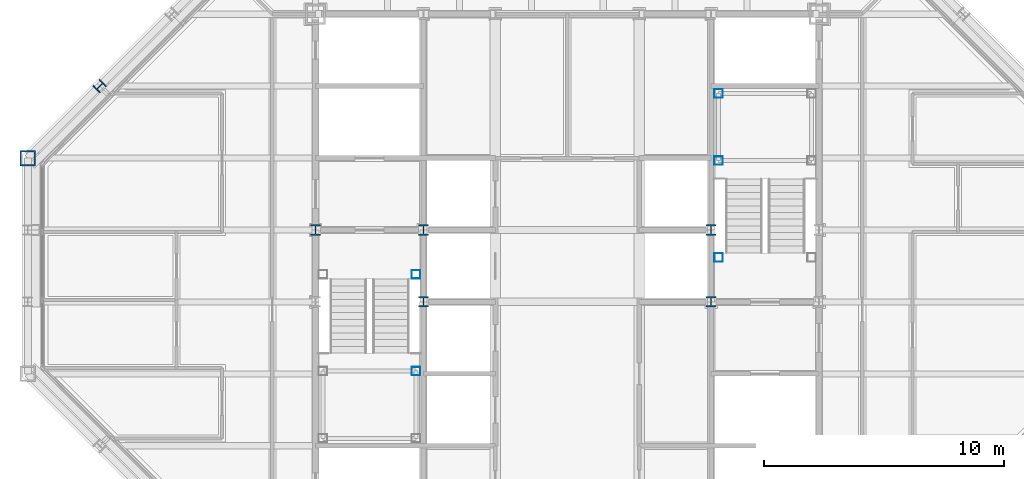
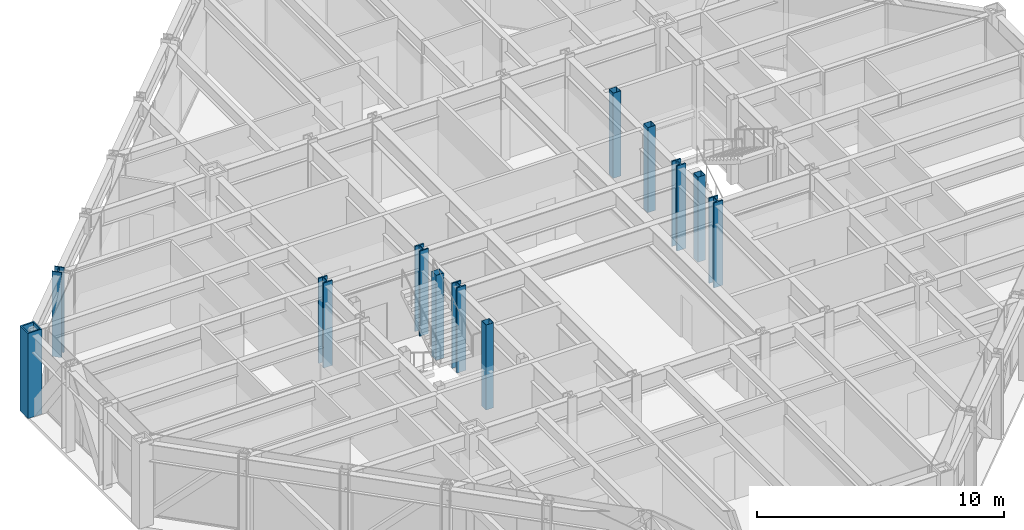
# One storey, part 2 of 15: 12 columns.
"""IFC4 building model written with IfcOpenShell, lengths in metres."""

from ifc_helpers import new_model, si_unit, direction, frame, origin, origin_2d, place, context, subcontext, project, spatial, hollow_rectangle, i_section, extrude, material, material_profile, profile_set, type_object, element, save


model = new_model("IFC4")

# Units and contexts
model_context = context("Model", 3, precision=1e-05, world=origin(), true_north=direction((0.0, 1.0)))
body_context = subcontext(model_context, "Body", "Model", "MODEL_VIEW")
ifc_project = project(units=[si_unit("LENGTHUNIT", "METRE"), si_unit("AREAUNIT", "SQUARE_METRE"), si_unit("VOLUMEUNIT", "CUBIC_METRE"), si_unit("PLANEANGLEUNIT", "RADIAN"), si_unit("MASSUNIT", "GRAM", prefix="KILO")], contexts=[model_context])

# Site, building, storey
site_placement = place(None, origin())
site = spatial("IfcSite", under=ifc_project, at=site_placement, CompositionType="ELEMENT")
building_placement = place(site_placement, origin())
building = spatial("IfcBuilding", under=site, at=building_placement, Name="Chuquiago Exchange Tower", CompositionType="ELEMENT")
storey_placement = place(building_placement, frame((0.0, 0.0, 287.39990234375)))
storey = spatial("IfcBuildingStorey", under=building, at=storey_placement, Name="L64", CompositionType="ELEMENT", Elevation=287.39990234375)

# Columns
ifc_material_1 = material(Name="Steel ASTM A992", Category="steel")
ifc_material_profile_1 = material_profile(ifc_material_1, i_section(OverallWidth=0.41650390625, OverallDepth=0.444580078125, WebThickness=0.0390625, FlangeThickness=0.062744140625, at=origin_2d()), Name="W14X342")
ifc_profile_set_1 = profile_set([ifc_material_profile_1], Name="Steel ASTM A992")
column_type_1 = type_object("IfcColumnType", Name="CC9 W14X342", PredefinedType="COLUMN", material=ifc_profile_set_1)
for number, where, z_axis, x_axis, name in (
    (1, (12.0, 24.0, 0.0), (0.0, 0.0, 1.0), (1.0, 0.0, 0.0), "CCOL-L64-12_24"),
    (2, (16.5, 21.0, 0.0), (0.0, 0.0, 1.0), (1.0, 0.0, 0.0), "CCOL-L64-16.5_21"),
    (3, (16.5, 24.0, 0.0), (0.0, 0.0, 1.0), (1.0, 0.0, 0.0), "CCOL-L64-16.5_24"),
    (4, (28.5, 21.0, 0.0), (0.0, 0.0, 1.0), (1.0, 0.0, 0.0), "CCOL-L64-28.5_21"),
    (5, (28.5, 24.0, 0.0), (0.0, 0.0, 1.0), (1.0, 0.0, 0.0), "CCOL-L64-28.5_24"),
):
    element("IfcColumn", number, at=place(storey_placement, frame(where, z_axis=z_axis, x_axis=x_axis)), inside=storey, type_object=column_type_1, Name=name, PredefinedType="COLUMN", context=body_context, shape_type="SweptSolid", body=[
        extrude(i_section(OverallWidth=0.41650390625, OverallDepth=0.444580078125, WebThickness=0.0390625, FlangeThickness=0.062744140625, at=origin_2d()), origin(), (0.0, 0.0, 1.0), 4.2001953125),
    ])
ifc_material_2 = material(Name="Steel ASTM A992", Category="steel")
ifc_material_profile_2 = material_profile(ifc_material_2, i_section(OverallWidth=0.40380859375, OverallDepth=0.406494140625, WebThickness=0.027099609375, FlangeThickness=0.043701171875, at=origin_2d()), Name="W14X233")
ifc_profile_set_2 = profile_set([ifc_material_profile_2], Name="Steel ASTM A992")
column_type_2 = type_object("IfcColumnType", Name="CK8 W14X233", PredefinedType="COLUMN", material=ifc_profile_set_2)
column_1_placement = place(storey_placement, frame((3.0, 30.0, 0.0), z_axis=(0.0, 0.0, 1.0), x_axis=(-0.707106781187, 0.707106781187, 0.0)))
element("IfcColumn", 6, at=column_1_placement, inside=storey, type_object=column_type_2, Name="COL-L64-3_30", PredefinedType="COLUMN", context=body_context, shape_type="SweptSolid", body=[
    extrude(i_section(OverallWidth=0.40380859375, OverallDepth=0.406494140625, WebThickness=0.027099609375, FlangeThickness=0.043701171875, at=origin_2d()), origin(), (0.0, 0.0, 1.0), 4.2001953125),
])
ifc_material_3 = material(Name="Steel ASTM A572 Grade 50", Category="steel")
ifc_material_profile_3 = material_profile(ifc_material_3, hollow_rectangle(XDim=0.64990234375, YDim=0.64990234375, WallThickness=0.06494140625, at=origin_2d()), Name="BOX650X650X65")
ifc_profile_set_3 = profile_set([ifc_material_profile_3], Name="Steel ASTM A572 Grade 50")
column_type_3 = type_object("IfcColumnType", Name="CN2 BOX650X650X65", PredefinedType="COLUMN", material=ifc_profile_set_3)
column_2_placement = place(storey_placement, frame((0.0, 27.0, 0.0), z_axis=(0.0, 0.0, 1.0), x_axis=(-1.0, 0.0, 0.0)))
element("IfcColumn", 7, at=column_2_placement, inside=storey, type_object=column_type_3, Name="COL-L64-0_27", PredefinedType="COLUMN", context=body_context, shape_type="SweptSolid", body=[
    extrude(hollow_rectangle(XDim=0.64990234375, YDim=0.64990234375, WallThickness=0.06494140625, at=origin_2d()), origin(), (0.0, 0.0, 1.0), 4.2001953125),
])
ifc_material_4 = material(Name="Steel ASTM A500 Grade C", Category="steel")
ifc_material_profile_4 = material_profile(ifc_material_4, hollow_rectangle(XDim=0.355712890625, YDim=0.355712890625, WallThickness=0.0087890625, at=origin_2d()), Name="HSS14X14X3/8")
ifc_profile_set_4 = profile_set([ifc_material_profile_4], Name="Steel ASTM A500 Grade C")
column_type_4 = type_object("IfcColumnType", Name="PT1 HSS14X14X3/8", PredefinedType="COLUMN", material=ifc_profile_set_4)
for number, where, z_axis, x_axis, name in (
    (8, (16.18994140625, 18.110107421875, 0.0), (0.0, 0.0, 1.0), (1.0, 0.0, 0.0), "Stair ST1 L64 landing post"),
    (9, (16.18994140625, 22.14990234375, 0.0), (0.0, 0.0, 1.0), (1.0, 0.0, 0.0), "Stair ST1 L64 landing post"),
    (10, (28.81005859375, 29.68994140625, 0.0), (0.0, 0.0, 1.0), (1.0, 0.0, 0.0), "Stair ST2 L64 landing post"),
    (11, (28.81005859375, 26.889892578125, 0.0), (0.0, 0.0, 1.0), (1.0, 0.0, 0.0), "Stair ST2 L64 landing post"),
    (12, (28.81005859375, 22.85009765625, 0.0), (0.0, 0.0, 1.0), (1.0, 0.0, 0.0), "Stair ST2 L64 landing post"),
):
    element("IfcColumn", number, at=place(storey_placement, frame(where, z_axis=z_axis, x_axis=x_axis)), inside=storey, type_object=column_type_4, Name=name, PredefinedType="COLUMN", context=body_context, shape_type="SweptSolid", body=[
        extrude(hollow_rectangle(XDim=0.355712890625, YDim=0.355712890625, WallThickness=0.0087890625, at=origin_2d()), origin(), (0.0, 0.0, 1.0), 4.2001953125),
    ])

save(model, "model.ifc")
